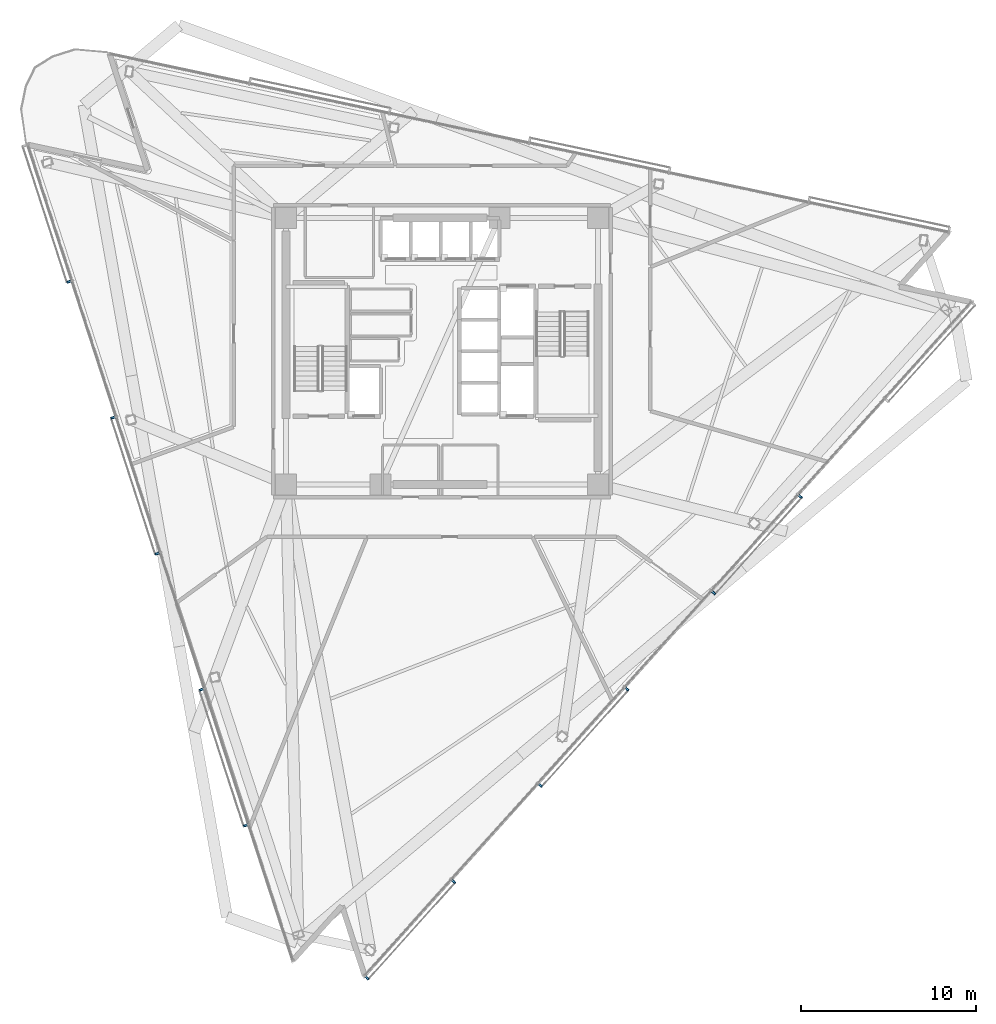
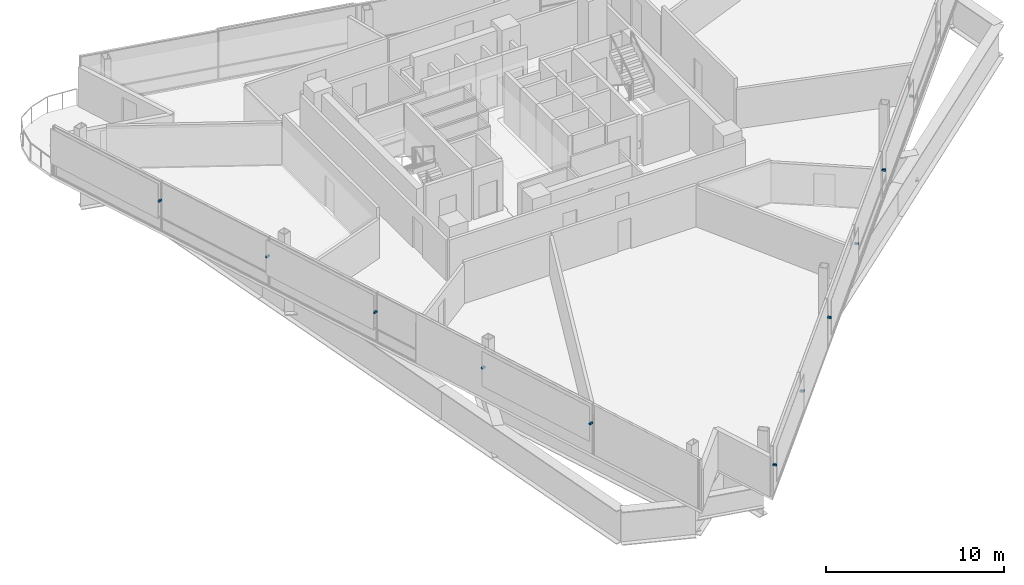
# One storey, part 13 of 17: 11 discrete accessories.
"""IFC4 building model written with IfcOpenShell, lengths in metres."""

from ifc_helpers import new_model, si_unit, direction, frame, origin, origin_2d, place, context, subcontext, project, spatial, rectangle, extrude, material, type_object, element, save


model = new_model("IFC4")

# Units and contexts
model_context = context("Model", 3, precision=1e-05, world=origin(), true_north=direction((0.0, 1.0)))
body_context = subcontext(model_context, "Body", "Model", "MODEL_VIEW")
ifc_project = project(units=[si_unit("LENGTHUNIT", "METRE"), si_unit("AREAUNIT", "SQUARE_METRE"), si_unit("VOLUMEUNIT", "CUBIC_METRE"), si_unit("PLANEANGLEUNIT", "RADIAN"), si_unit("MASSUNIT", "GRAM", prefix="KILO")], contexts=[model_context])

# Site, building, storey
site_placement = place(None, origin())
site = spatial("IfcSite", under=ifc_project, at=site_placement, CompositionType="ELEMENT")
building_placement = place(site_placement, origin())
building = spatial("IfcBuilding", under=site, at=building_placement, Name="Tharavind Bronze Gate", CompositionType="ELEMENT")
storey_placement = place(building_placement, frame((0.0, 0.0, 196.85009765625)))
storey = spatial("IfcBuildingStorey", under=building, at=storey_placement, Name="L50", CompositionType="ELEMENT", Elevation=196.85009765625)

# Discrete accessories
ifc_material = material(Name="Stainless Steel 316", Category="steel")
discrete_accessory_type = type_object("IfcDiscreteAccessoryType", Name="SOLAR SCREEN STANDOFF BRACKET", PredefinedType="BRACKET", material=ifc_material)
for number, where, z_axis, x_axis, name in (
    (1, (-21.281005859375, 3.96826171875, 2.099853515625), (0.0, 0.0, 1.0), (0.309016994375, -0.951056516295, 0.0), "CW-L50-S1 solar screen bracket 1.2"),
    (2, (-18.760986328125, -3.7880859375, 2.099853515625), (0.0, 0.0, 1.0), (0.309016994375, -0.951056516295, 0.0), "CW-L50-S1 solar screen bracket 3.1"),
    (3, (-16.240478515625, -11.544677734375, 2.099853515625), (0.0, 0.0, 1.0), (0.309016994375, -0.951056516295, 0.0), "CW-L50-S1 solar screen bracket 3.2"),
    (4, (-13.720458984375, -19.30126953125, 2.099853515625), (0.0, 0.0, 1.0), (0.309016994375, -0.951056516295, 0.0), "CW-L50-S1 solar screen bracket 5.1"),
    (5, (-11.2001953125, -27.057861328125, 2.099853515625), (0.0, 0.0, 1.0), (0.309016994375, -0.951056516295, 0.0), "CW-L50-S1 solar screen bracket 5.2"),
    (6, (-4.2783203125, -35.75, 2.099853515625), (0.0, 0.0, 1.0), (0.669130606359, 0.743144825477, 0.0), "CW-L50-S2 solar screen bracket 1.1"),
    (7, (0.666015625, -30.258544921875, 2.099853515625), (0.0, 0.0, 1.0), (0.669130606359, 0.743144825477, 0.0), "CW-L50-S2 solar screen bracket 1.2"),
    (8, (5.610595703125, -24.76708984375, 2.099853515625), (0.0, 0.0, 1.0), (0.669130606359, 0.743144825477, 0.0), "CW-L50-S2 solar screen bracket 3.1"),
    (9, (10.55517578125, -19.275634765625, 2.099853515625), (0.0, 0.0, 1.0), (0.669130606359, 0.743144825477, 0.0), "CW-L50-S2 solar screen bracket 3.2"),
    (10, (15.49951171875, -13.7841796875, 2.099853515625), (0.0, 0.0, 1.0), (0.669130606359, 0.743144825477, 0.0), "CW-L50-S2 solar screen bracket 5.1"),
    (11, (20.444091796875, -8.292724609375, 2.099853515625), (0.0, 0.0, 1.0), (0.669130606359, 0.743144825477, 0.0), "CW-L50-S2 solar screen bracket 5.2"),
):
    element("IfcDiscreteAccessory", number, at=place(storey_placement, frame(where, z_axis=z_axis, x_axis=x_axis)), inside=storey, type_object=discrete_accessory_type, Name=name, PredefinedType="BRACKET", context=body_context, shape_type="SweptSolid", body=[
        extrude(rectangle(XDim=0.1201171875, YDim=0.239990234375, at=origin_2d()), origin(), (0.0, 0.0, 1.0), 0.1201171875),
    ])

save(model, "model.ifc")
